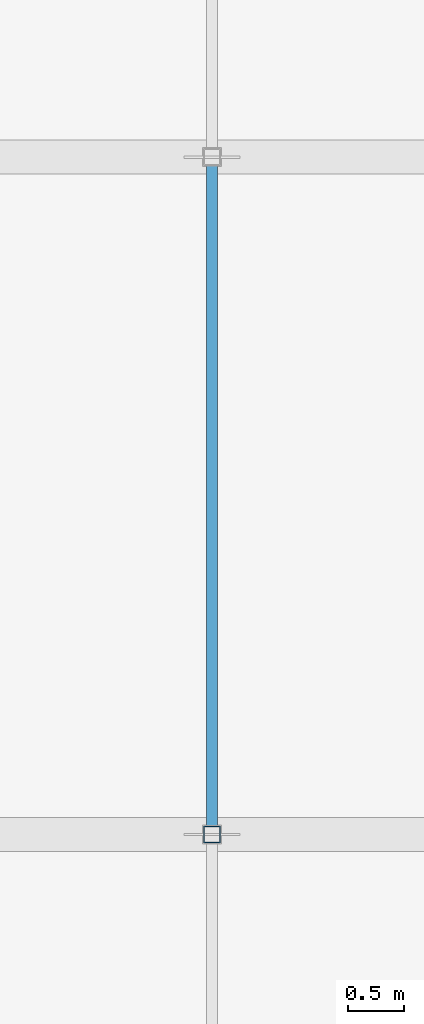
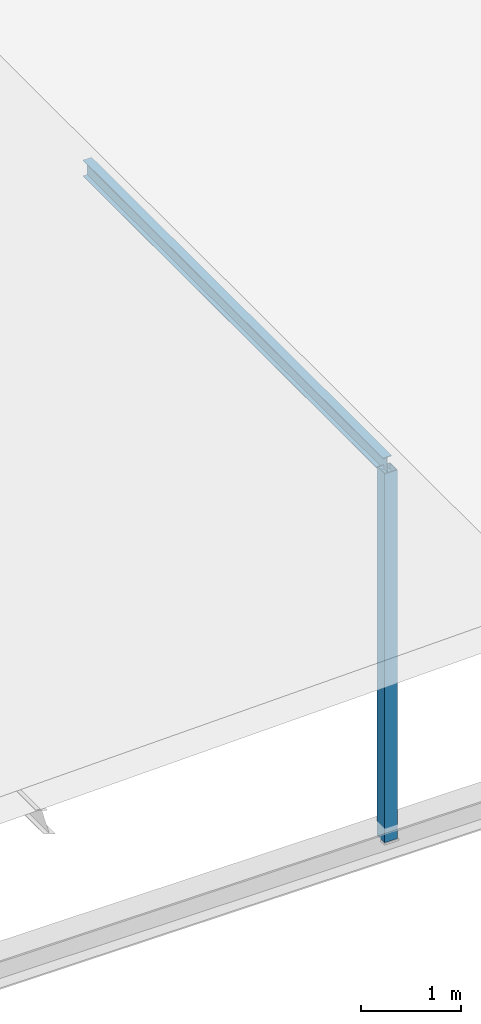
# One storey, part 57 of 204: 2 members.
"""IFC4 building model written with IfcOpenShell, lengths in metres."""

from ifc_helpers import new_model, si_unit, direction, frame, origin, origin_2d, place, context, subcontext, project, spatial, hollow_rectangle, i_section, extrude, material, material_profile, profile_set, type_object, element, save


model = new_model("IFC4")

# Units and contexts
model_context = context("Model", 3, precision=1e-05, world=origin(), true_north=direction((0.0, 1.0)))
body_context = subcontext(model_context, "Body", "Model", "MODEL_VIEW")
ifc_project = project(units=[si_unit("LENGTHUNIT", "METRE"), si_unit("AREAUNIT", "SQUARE_METRE"), si_unit("VOLUMEUNIT", "CUBIC_METRE"), si_unit("PLANEANGLEUNIT", "RADIAN"), si_unit("MASSUNIT", "GRAM", prefix="KILO")], contexts=[model_context])

# Site, building, storey
site_placement = place(None, origin())
site = spatial("IfcSite", under=ifc_project, at=site_placement, CompositionType="ELEMENT")
building_placement = place(site_placement, origin())
building = spatial("IfcBuilding", under=site, at=building_placement, Name="Zilviju Railside Exhibition Hall", CompositionType="ELEMENT")
storey_placement = place(building_placement, frame((0.0, 0.0, 21.0)))
storey = spatial("IfcBuildingStorey", under=building, at=storey_placement, Name="RF", CompositionType="ELEMENT", Elevation=21.0)

# Members
ifc_material = material(Name="Steel S355J2", Category="steel")
ifc_material_profile_1 = material_profile(ifc_material, hollow_rectangle(XDim=0.14990234375, YDim=0.14990234375, WallThickness=0.008056640625, at=origin_2d()), Name="SHS 150x150x8.0")
ifc_profile_set_1 = profile_set([ifc_material_profile_1], Name="Steel S355J2")
member_type_1 = type_object("IfcMemberType", Name="TR-POST-SHS150", PredefinedType="POST", material=ifc_profile_set_1)
member_1_placement = place(storey_placement, frame((63.0, 78.0, -8.39990234375), z_axis=(0.0, 0.0, 1.0), x_axis=(1.0, 0.0, 0.0)))
element("IfcMember", 1, at=member_1_placement, inside=storey, type_object=member_type_1, Name="Concourse Saddle King Post Y=78.0", PredefinedType="POST", context=body_context, shape_type="SweptSolid", body=[
    extrude(hollow_rectangle(XDim=0.14990234375, YDim=0.14990234375, WallThickness=0.008056640625, at=origin_2d()), origin(), (0.0, 0.0, 1.0), 4.5),
])
ifc_material_profile_2 = material_profile(ifc_material, i_section(OverallWidth=0.10009765625, OverallDepth=0.199951171875, WebThickness=0.005615234375, FlangeThickness=0.008544921875, at=origin_2d()), Name="IPE 200")
ifc_profile_set_2 = profile_set([ifc_material_profile_2], Name="Steel S355J2")
member_type_2 = type_object("IfcMemberType", Name="TR-PUR-IPE200", PredefinedType="PURLIN", material=ifc_profile_set_2)
member_2_placement = place(storey_placement, frame((63.0, 78.0, -3.860107421875), z_axis=(0.0, 1.0, 0.0), x_axis=(-1.0, 0.0, 0.0)))
element("IfcMember", 2, at=member_2_placement, inside=storey, type_object=member_type_2, Name="Concourse Lantern Purlin X=63.0", PredefinedType="PURLIN", context=body_context, shape_type="SweptSolid", body=[
    extrude(i_section(OverallWidth=0.10009765625, OverallDepth=0.199951171875, WebThickness=0.005615234375, FlangeThickness=0.008544921875, at=origin_2d()), origin(), (0.0, 0.0, 1.0), 6.0),
])

save(model, "model.ifc")
